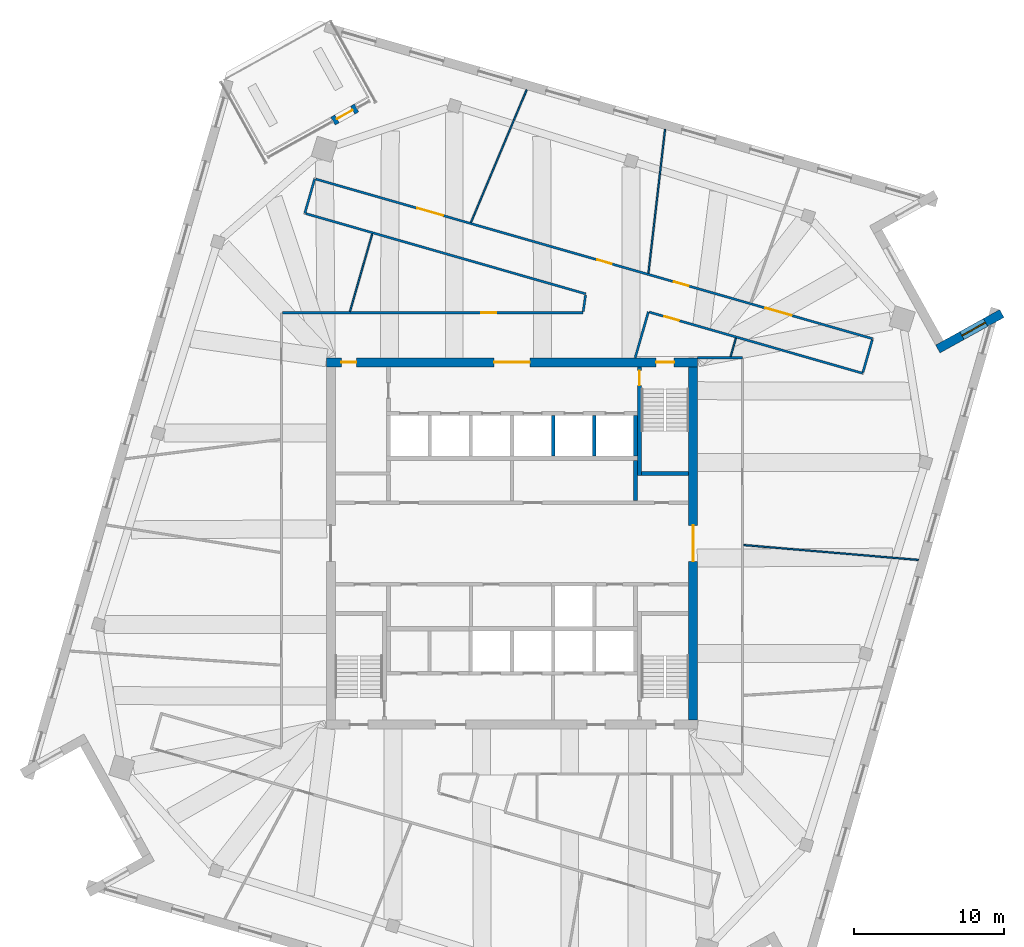
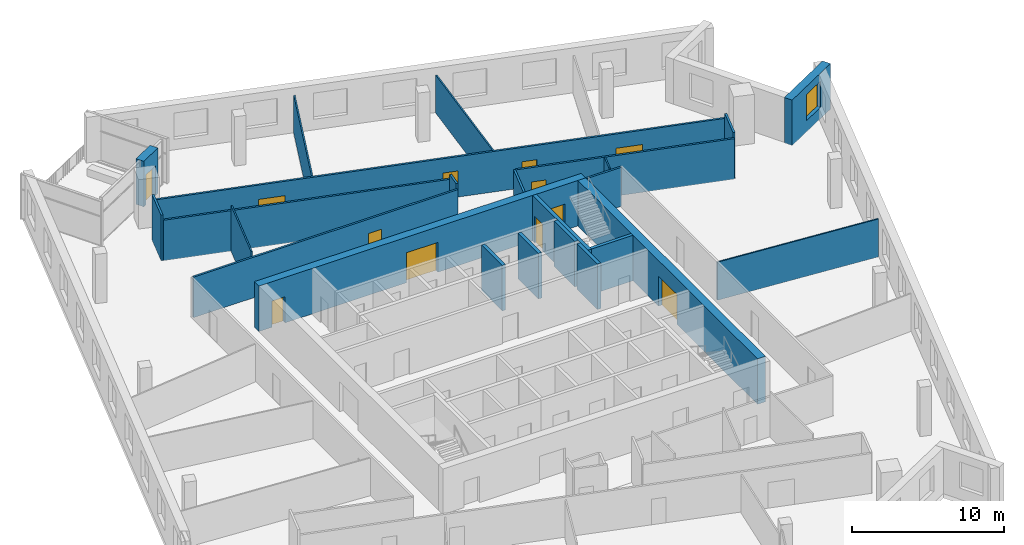
# One storey, part 11 of 15: 24 walls, 12 doors, 1 window, 13 openings.
"""IFC4 building model written with IfcOpenShell, lengths in metres."""

from ifc_helpers import new_model, si_unit, direction, frame, frame_2d, origin, place, context, subcontext, project, spatial, rectangle, extrude, material, layer, layer_set, type_object, element, fill, save


model = new_model("IFC4")

# Units and contexts
model_context = context("Model", 3, precision=1e-05, world=origin(), true_north=direction((0.0, 1.0)))
body_context = subcontext(model_context, "Body", "Model", "MODEL_VIEW")
ifc_project = project(units=[si_unit("LENGTHUNIT", "METRE"), si_unit("AREAUNIT", "SQUARE_METRE"), si_unit("VOLUMEUNIT", "CUBIC_METRE"), si_unit("PLANEANGLEUNIT", "RADIAN"), si_unit("MASSUNIT", "GRAM", prefix="KILO")], contexts=[model_context])

# Site, building, storey
site_placement = place(None, origin())
site = spatial("IfcSite", under=ifc_project, at=site_placement, CompositionType="ELEMENT")
building_placement = place(site_placement, origin())
building = spatial("IfcBuilding", under=site, at=building_placement, Name="Dilmun Exchange Tower", CompositionType="ELEMENT")
storey_placement = place(building_placement, frame((0.0, 0.0, 324.5)))
storey = spatial("IfcBuildingStorey", under=building, at=storey_placement, Name="L77", CompositionType="ELEMENT", Elevation=324.5)

# Wall
ifc_material_1 = material(Name="Concrete C40/50", Category="concrete")
ifc_layer_1 = layer(ifc_material_1, 0.25)
ifc_layer_set_1 = layer_set([ifc_layer_1], Name="Concrete C40/50")
wall_type_1 = type_object("IfcWallType", Name="Core partition wall 250", PredefinedType="PARTITIONING", material=ifc_layer_set_1)
wall_1_placement = place(storey_placement, frame((8.25, 2.85498046875, 0.0), z_axis=(0.0, 0.0, 1.0), x_axis=(0.0, 1.0, 0.0)))
element("IfcWall", 1, at=wall_1_placement, inside=storey, type_object=wall_type_1, Name="L77 core partition wall 14", PredefinedType="PARTITIONING", context=body_context, shape_type="SweptSolid", body=[
    extrude(rectangle(XDim=2.68994140625, YDim=0.25, at=frame_2d((1.344970703125, 0.0))), origin(), (0.0, 0.0, 1.0), 3.64990234375),
])

# Wall, openings, doors
ifc_material_2 = material(Name="Concrete C50/60", Category="concrete")
ifc_layer_2 = layer(ifc_material_2, 0.60009765625)
ifc_layer_set_2 = layer_set([ifc_layer_2], Name="Concrete C50/60")
wall_type_2 = type_object("IfcWallType", Name="Core shear wall 600 Concrete C50/60", PredefinedType="SHEAR", material=ifc_layer_set_2)
wall_2_placement = place(storey_placement, frame((-12.39990234375, 12.10009765625, 0.0), z_axis=(0.0, 0.0, 1.0), x_axis=(1.0, 0.0, 0.0)))
wall_2 = element("IfcWall", 2, at=wall_2_placement, inside=storey, type_object=wall_type_2, Name="L77 core shear wall N", PredefinedType="SHEAR", context=body_context, shape_type="SweptSolid", body=[
    extrude(rectangle(XDim=24.7998046875, YDim=0.60009765625, at=frame_2d((12.39990234375, 0.0))), origin(), (0.0, 0.0, 1.0), 3.64990234375),
])
opening_1_placement = place(wall_2_placement, frame((11.199951171875, 0.0, 0.0)))
opening_1 = element("IfcOpeningElement", 3, at=opening_1_placement, cuts=wall_2, Name="Opening CD1", PredefinedType="OPENING", context=body_context, shape_type="SweptSolid", body=[
    extrude(rectangle(XDim=2.39990234375, YDim=2.39990234375, at=frame_2d((1.199951171875, 1.199951171875))), frame((0.0, 0.31005859375, 0.0), z_axis=(0.0, -1.0, 0.0), x_axis=(1.0, 0.0, 0.0)), (0.0, 0.0, 1.0), 0.6201171875),
])
opening_2_placement = place(wall_2_placement, frame((22.02490234375, 0.0, 0.0)))
opening_2 = element("IfcOpeningElement", 4, at=opening_2_placement, cuts=wall_2, Name="Opening CD3", PredefinedType="OPENING", context=body_context, shape_type="SweptSolid", body=[
    extrude(rectangle(XDim=1.199951171875, YDim=2.10009765625, at=frame_2d((0.60009765625, 1.050048828125))), frame((0.0, 0.31005859375, 0.0), z_axis=(0.0, -1.0, 0.0), x_axis=(1.0, 0.0, 0.0)), (0.0, 0.0, 1.0), 0.6201171875),
])
opening_3_placement = place(wall_2_placement, frame((1.0, 0.0, 0.0)))
opening_3 = element("IfcOpeningElement", 5, at=opening_3_placement, cuts=wall_2, Name="Opening CD4", PredefinedType="OPENING", context=body_context, shape_type="SweptSolid", body=[
    extrude(rectangle(XDim=1.0, YDim=2.10009765625, at=frame_2d((0.5, 1.050048828125))), frame((0.0, 0.31005859375, 0.0), z_axis=(0.0, -1.0, 0.0), x_axis=(1.0, 0.0, 0.0)), (0.0, 0.0, 1.0), 0.6201171875),
])
ifc_material_3 = material(Name="Fire-rated steel door set", Category="steel")
door_type_1 = type_object("IfcDoorType", Name="Core lobby door 2400x2400", OperationType="DOUBLE_DOOR_DOUBLE_SWING", PredefinedType="DOOR", material=ifc_material_3)
door_1_placement = place(opening_1_placement, origin())
door_1 = element("IfcDoor", 6, at=door_1_placement, inside=storey, type_object=door_type_1, Name="L77 door North lift lobby", OperationType="SINGLE_SWING_LEFT", OverallHeight=2.39990234375, OverallWidth=2.39990234375, PredefinedType="DOOR", context=body_context, shape_type="SweptSolid", body=[
    extrude(rectangle(XDim=2.39990234375, YDim=2.39990234375, at=frame_2d((1.199951171875, 1.199951171875))), frame((0.0, 0.02490234375, 0.0), z_axis=(0.0, -1.0, 0.0), x_axis=(1.0, 0.0, 0.0)), (0.0, 0.0, 1.0), 0.050048828125),
])
fill(opening_1, door_1)
door_type_2 = type_object("IfcDoorType", Name="Core room door 1000x2100", OperationType="SINGLE_SWING_LEFT", PredefinedType="DOOR", material=ifc_material_3)
door_2_placement = place(opening_3_placement, origin())
door_2 = element("IfcDoor", 7, at=door_2_placement, inside=storey, type_object=door_type_2, Name="L77 door North-west core rooms", OperationType="SINGLE_SWING_LEFT", OverallHeight=2.10009765625, OverallWidth=1.0, PredefinedType="DOOR", context=body_context, shape_type="SweptSolid", body=[
    extrude(rectangle(XDim=1.0, YDim=2.10009765625, at=frame_2d((0.5, 1.050048828125))), frame((0.0, 0.02490234375, 0.0), z_axis=(0.0, -1.0, 0.0), x_axis=(1.0, 0.0, 0.0)), (0.0, 0.0, 1.0), 0.050048828125),
])
fill(opening_3, door_2)
door_type_3 = type_object("IfcDoorType", Name="Stair exit door 1200x2100", OperationType="SINGLE_SWING_LEFT", PredefinedType="DOOR", material=ifc_material_3)
door_3_placement = place(opening_2_placement, origin())
door_3 = element("IfcDoor", 8, at=door_3_placement, inside=storey, type_object=door_type_3, Name="L77 door Stair ST1", OperationType="SINGLE_SWING_LEFT", OverallHeight=2.10009765625, OverallWidth=1.199951171875, PredefinedType="DOOR", context=body_context, shape_type="SweptSolid", body=[
    extrude(rectangle(XDim=1.199951171875, YDim=2.10009765625, at=frame_2d((0.60009765625, 1.050048828125))), frame((0.0, 0.02490234375, 0.0), z_axis=(0.0, -1.0, 0.0), x_axis=(1.0, 0.0, 0.0)), (0.0, 0.0, 1.0), 0.050048828125),
])
fill(opening_2, door_3)

# Wall, opening, door
wall_3_placement = place(storey_placement, frame((12.10009765625, -11.800048828125, 0.0), z_axis=(0.0, 0.0, 1.0), x_axis=(0.0, 1.0, 0.0)))
wall_3 = element("IfcWall", 9, at=wall_3_placement, inside=storey, type_object=wall_type_2, Name="L77 core shear wall E", PredefinedType="SHEAR", context=body_context, shape_type="SweptSolid", body=[
    extrude(rectangle(XDim=23.60009765625, YDim=0.60009765625, at=frame_2d((11.800048828125, 0.0))), origin(), (0.0, 0.0, 1.0), 3.64990234375),
])
opening_4_placement = place(wall_3_placement, frame((10.60009765625, 0.0, 0.0)))
opening_4 = element("IfcOpeningElement", 10, at=opening_4_placement, cuts=wall_3, Name="Opening CD1", PredefinedType="OPENING", context=body_context, shape_type="SweptSolid", body=[
    extrude(rectangle(XDim=2.39990234375, YDim=2.39990234375, at=frame_2d((1.199951171875, 1.199951171875))), frame((0.0, 0.31005859375, 0.0), z_axis=(0.0, -1.0, 0.0), x_axis=(1.0, 0.0, 0.0)), (0.0, 0.0, 1.0), 0.6201171875),
])
door_4_placement = place(opening_4_placement, origin())
door_4 = element("IfcDoor", 11, at=door_4_placement, inside=storey, type_object=door_type_1, Name="L77 door Central lift lobby", OperationType="SINGLE_SWING_LEFT", OverallHeight=2.39990234375, OverallWidth=2.39990234375, PredefinedType="DOOR", context=body_context, shape_type="SweptSolid", body=[
    extrude(rectangle(XDim=2.39990234375, YDim=2.39990234375, at=frame_2d((1.199951171875, 1.199951171875))), frame((0.0, 0.02490234375, 0.0), z_axis=(0.0, -1.0, 0.0), x_axis=(1.0, 0.0, 0.0)), (0.0, 0.0, 1.0), 0.050048828125),
])
fill(opening_4, door_4)

ifc_material_4 = material(Name="Corridor wall 150")
ifc_layer_3 = layer(ifc_material_4, 0.14990234375)
ifc_layer_set_3 = layer_set([ifc_layer_3], Name="Corridor wall 150")
wall_type_3 = type_object("IfcWallType", Name="Corridor wall 150", PredefinedType="PARTITIONING", material=ifc_layer_set_3)
wall_4_placement = place(storey_placement, frame((-15.324951171875, 15.39990234375, 0.0), z_axis=(0.0, 0.0, 1.0), x_axis=(1.0, 0.0, 0.0)))
wall_4 = element("IfcWall", 12, at=wall_4_placement, inside=storey, type_object=wall_type_3, Name="Corridor wall", PredefinedType="PARTITIONING", context=body_context, shape_type="SweptSolid", body=[
    extrude(rectangle(XDim=20.06884765625, YDim=0.14990234375, at=frame_2d((10.034423828125, 0.0))), origin(), (0.0, 0.0, 1.0), 3.25),
])
opening_5_placement = place(wall_4_placement, frame((13.279296875, 0.0, 0.0)))
opening_5 = element("IfcOpeningElement", 13, at=opening_5_placement, cuts=wall_4, Name="Opening TF77-D08", PredefinedType="OPENING", context=body_context, shape_type="SweptSolid", body=[
    extrude(rectangle(XDim=1.0, YDim=2.10009765625, at=frame_2d((0.5, 1.050048828125))), frame((0.0, 0.0849609375, 0.0), z_axis=(0.0, -1.0, 0.0), x_axis=(1.0, 0.0, 0.0)), (0.0, 0.0, 1.0), 0.169921875),
])
ifc_material_5 = material(Name="Fire door 1000 x 2100")
door_type_4 = type_object("IfcDoorType", Name="Fire door 1000 x 2100", OperationType="NOTDEFINED", PredefinedType="DOOR", material=ifc_material_5)
door_5_placement = place(opening_5_placement, origin())
door_5 = element("IfcDoor", 14, at=door_5_placement, inside=storey, type_object=door_type_4, Name="Door TF77-D08", OperationType="SINGLE_SWING_LEFT", OverallHeight=2.10009765625, OverallWidth=1.0, PredefinedType="DOOR", context=body_context, shape_type="SweptSolid", body=[
    extrude(rectangle(XDim=1.0, YDim=2.10009765625, at=frame_2d((0.5, 1.050048828125))), frame((0.0, 0.02490234375, 0.0), z_axis=(0.0, -1.0, 0.0), x_axis=(1.0, 0.0, 0.0)), (0.0, 0.0, 1.0), 0.050048828125),
])
fill(opening_5, door_5)

# Walls
wall_5_placement = place(storey_placement, frame((-13.8359375, 22.048095703125, 0.0), z_axis=(0.0, 0.0, 1.0), x_axis=(0.275406353885, 0.96132790464, 0.0)))
element("IfcWall", 15, at=wall_5_placement, inside=storey, type_object=wall_type_3, Name="Corridor wall", PredefinedType="PARTITIONING", context=body_context, shape_type="SweptSolid", body=[
    extrude(rectangle(XDim=2.399658203125, YDim=0.14990234375, at=frame_2d((1.19970703125, 0.0))), origin(), (0.0, 0.0, 1.0), 3.64990234375),
])
wall_6_placement = place(storey_placement, frame((-13.763916015625, 22.02734375, 0.0), z_axis=(0.0, 0.0, 1.0), x_axis=(0.961261913281, -0.275636597851, 0.0)))
element("IfcWall", 16, at=wall_6_placement, inside=storey, type_object=wall_type_3, Name="Corridor wall", PredefinedType="PARTITIONING", context=body_context, shape_type="SweptSolid", body=[
    extrude(rectangle(XDim=19.440185546875, YDim=0.14990234375, at=frame_2d((9.72021484375, 0.0))), origin(), (0.0, 0.0, 1.0), 3.25),
])

# Wall, openings, doors
wall_7_placement = place(storey_placement, frame((-13.102783203125, 24.334228515625, 0.0), z_axis=(0.0, 0.0, 1.0), x_axis=(0.961265813226, -0.275622996723, 0.0)))
wall_7 = element("IfcWall", 17, at=wall_7_placement, inside=storey, type_object=wall_type_3, Name="Corridor wall", PredefinedType="PARTITIONING", context=body_context, shape_type="SweptSolid", body=[
    extrude(rectangle(XDim=38.68017578125, YDim=0.14990234375, at=frame_2d((19.340087890625, 0.0))), origin(), (0.0, 0.0, 1.0), 3.25),
])
opening_6_placement = place(wall_7_placement, frame((7.050048828125, 0.0, 0.0)))
opening_6 = element("IfcOpeningElement", 18, at=opening_6_placement, cuts=wall_7, Name="Opening TF77-D05", PredefinedType="OPENING", context=body_context, shape_type="SweptSolid", body=[
    extrude(rectangle(XDim=1.800048828125, YDim=2.10009765625, at=frame_2d((0.89990234375, 1.050048828125))), frame((0.0, 0.0849609375, 0.0), z_axis=(0.0, -1.0, 0.0), x_axis=(1.0, 0.0, 0.0)), (0.0, 0.0, 1.0), 0.169921875),
])
opening_7_placement = place(wall_7_placement, frame((19.54736328125, 0.0, 0.0)))
opening_7 = element("IfcOpeningElement", 19, at=opening_7_placement, cuts=wall_7, Name="Opening TF77-D12", PredefinedType="OPENING", context=body_context, shape_type="SweptSolid", body=[
    extrude(rectangle(XDim=1.0, YDim=2.10009765625, at=frame_2d((0.5, 1.050048828125))), frame((0.0, 0.0849609375, 0.0), z_axis=(0.0, -1.0, 0.0), x_axis=(1.0, 0.0, 0.0)), (0.0, 0.0, 1.0), 0.169921875),
])
opening_8_placement = place(wall_7_placement, frame((24.892578125, 0.0, 0.0)))
opening_8 = element("IfcOpeningElement", 20, at=opening_8_placement, cuts=wall_7, Name="Opening TF77-D15", PredefinedType="OPENING", context=body_context, shape_type="SweptSolid", body=[
    extrude(rectangle(XDim=1.0, YDim=2.10009765625, at=frame_2d((0.5, 1.050048828125))), frame((0.0, 0.0849609375, 0.0), z_axis=(0.0, -1.0, 0.0), x_axis=(1.0, 0.0, 0.0)), (0.0, 0.0, 1.0), 0.169921875),
])
opening_9_placement = place(wall_7_placement, frame((31.242919921875, 0.0, 0.0)))
opening_9 = element("IfcOpeningElement", 21, at=opening_9_placement, cuts=wall_7, Name="Opening TF77-D19", PredefinedType="OPENING", context=body_context, shape_type="SweptSolid", body=[
    extrude(rectangle(XDim=1.800048828125, YDim=2.10009765625, at=frame_2d((0.89990234375, 1.050048828125))), frame((0.0, 0.0849609375, 0.0), z_axis=(0.0, -1.0, 0.0), x_axis=(1.0, 0.0, 0.0)), (0.0, 0.0, 1.0), 0.169921875),
])
door_6_placement = place(opening_7_placement, origin())
door_6 = element("IfcDoor", 22, at=door_6_placement, inside=storey, type_object=door_type_4, Name="Door TF77-D12", OperationType="SINGLE_SWING_RIGHT", OverallHeight=2.10009765625, OverallWidth=1.0, PredefinedType="DOOR", context=body_context, shape_type="SweptSolid", body=[
    extrude(rectangle(XDim=1.0, YDim=2.10009765625, at=frame_2d((0.5, 1.050048828125))), frame((0.0, 0.02490234375, 0.0), z_axis=(0.0, -1.0, 0.0), x_axis=(1.0, 0.0, 0.0)), (0.0, 0.0, 1.0), 0.050048828125),
])
fill(opening_7, door_6)
door_7_placement = place(opening_8_placement, origin())
door_7 = element("IfcDoor", 23, at=door_7_placement, inside=storey, type_object=door_type_4, Name="Door TF77-D15", OperationType="SINGLE_SWING_LEFT", OverallHeight=2.10009765625, OverallWidth=1.0, PredefinedType="DOOR", context=body_context, shape_type="SweptSolid", body=[
    extrude(rectangle(XDim=1.0, YDim=2.10009765625, at=frame_2d((0.5, 1.050048828125))), frame((0.0, 0.02490234375, 0.0), z_axis=(0.0, -1.0, 0.0), x_axis=(1.0, 0.0, 0.0)), (0.0, 0.0, 1.0), 0.050048828125),
])
fill(opening_8, door_7)
ifc_material_6 = material(Name="Fire door pair 1800 x 2100")
door_type_5 = type_object("IfcDoorType", Name="Fire door pair 1800 x 2100", OperationType="NOTDEFINED", PredefinedType="DOOR", material=ifc_material_6)
door_8_placement = place(opening_6_placement, origin())
door_8 = element("IfcDoor", 24, at=door_8_placement, inside=storey, type_object=door_type_5, Name="Door TF77-D05", OperationType="DOUBLE_DOOR_SINGLE_SWING", OverallHeight=2.10009765625, OverallWidth=1.800048828125, PredefinedType="DOOR", context=body_context, shape_type="SweptSolid", body=[
    extrude(rectangle(XDim=1.800048828125, YDim=2.10009765625, at=frame_2d((0.89990234375, 1.050048828125))), frame((0.0, 0.02490234375, 0.0), z_axis=(0.0, -1.0, 0.0), x_axis=(1.0, 0.0, 0.0)), (0.0, 0.0, 1.0), 0.050048828125),
])
fill(opening_6, door_8)
door_9_placement = place(opening_9_placement, origin())
door_9 = element("IfcDoor", 25, at=door_9_placement, inside=storey, type_object=door_type_5, Name="Door TF77-D19", OperationType="DOUBLE_DOOR_SINGLE_SWING", OverallHeight=2.10009765625, OverallWidth=1.800048828125, PredefinedType="DOOR", context=body_context, shape_type="SweptSolid", body=[
    extrude(rectangle(XDim=1.800048828125, YDim=2.10009765625, at=frame_2d((0.89990234375, 1.050048828125))), frame((0.0, 0.02490234375, 0.0), z_axis=(0.0, -1.0, 0.0), x_axis=(1.0, 0.0, 0.0)), (0.0, 0.0, 1.0), 0.050048828125),
])
fill(opening_9, door_9)

# Walls
wall_8_placement = place(storey_placement, frame((4.756103515625, 15.485595703125, 0.0), z_axis=(0.0, 0.0, 1.0), x_axis=(0.139602323869, 0.990207650531, 0.0)))
element("IfcWall", 26, at=wall_8_placement, inside=storey, type_object=wall_type_3, Name="Corridor wall", PredefinedType="PARTITIONING", context=body_context, shape_type="SweptSolid", body=[
    extrude(rectangle(XDim=1.108642578125, YDim=0.14990234375, at=frame_2d((0.55419921875, 0.0))), origin(), (0.0, 0.0, 1.0), 3.64990234375),
])
wall_9_placement = place(storey_placement, frame((8.22705078125, 12.39990234375, 0.0), z_axis=(0.0, 0.0, 1.0), x_axis=(0.275589573409, 0.961275396038, 0.0)))
element("IfcWall", 27, at=wall_9_placement, inside=storey, type_object=wall_type_3, Name="Corridor wall", PredefinedType="PARTITIONING", context=body_context, shape_type="SweptSolid", body=[
    extrude(rectangle(XDim=3.192626953125, YDim=0.14990234375, at=frame_2d((1.59619140625, 0.0))), origin(), (0.0, 0.0, 1.0), 3.25),
])

# Wall, opening, door
wall_10_placement = place(storey_placement, frame((9.17919921875, 15.4482421875, 0.0), z_axis=(0.0, 0.0, 1.0), x_axis=(0.961267886057, -0.275615767392, 0.0)))
wall_10 = element("IfcWall", 28, at=wall_10_placement, inside=storey, type_object=wall_type_3, Name="Corridor wall", PredefinedType="PARTITIONING", context=body_context, shape_type="SweptSolid", body=[
    extrude(rectangle(XDim=14.8115234375, YDim=0.14990234375, at=frame_2d((7.40576171875, 0.0))), origin(), (0.0, 0.0, 1.0), 3.25),
])
opening_10_placement = place(wall_10_placement, frame((1.050048828125, 0.0, 0.0)))
opening_10 = element("IfcOpeningElement", 29, at=opening_10_placement, cuts=wall_10, Name="Opening TF77-D14", PredefinedType="OPENING", context=body_context, shape_type="SweptSolid", body=[
    extrude(rectangle(XDim=1.0, YDim=2.10009765625, at=frame_2d((0.5, 1.050048828125))), frame((0.0, 0.0849609375, 0.0), z_axis=(0.0, -1.0, 0.0), x_axis=(1.0, 0.0, 0.0)), (0.0, 0.0, 1.0), 0.169921875),
])
door_10_placement = place(opening_10_placement, frame((1.0, 0.0, 0.0), z_axis=(0.0, 0.0, 1.0), x_axis=(-1.0, 0.0, 0.0)))
door_10 = element("IfcDoor", 30, at=door_10_placement, inside=storey, type_object=door_type_4, Name="Door TF77-D14", OperationType="SINGLE_SWING_RIGHT", OverallHeight=2.10009765625, OverallWidth=1.0, PredefinedType="DOOR", context=body_context, shape_type="SweptSolid", body=[
    extrude(rectangle(XDim=1.0, YDim=2.10009765625, at=frame_2d((0.5, 1.050048828125))), frame((0.0, 0.02490234375, 0.0), z_axis=(0.0, -1.0, 0.0), x_axis=(1.0, 0.0, 0.0)), (0.0, 0.0, 1.0), 0.050048828125),
])
fill(opening_10, door_10)

# Walls
wall_11_placement = place(storey_placement, frame((12.39990234375, 12.39990234375, 0.0), z_axis=(0.0, 0.0, 1.0), x_axis=(1.0, 0.0, 0.0)))
element("IfcWall", 31, at=wall_11_placement, inside=storey, type_object=wall_type_3, Name="Corridor wall", PredefinedType="PARTITIONING", context=body_context, shape_type="SweptSolid", body=[
    extrude(rectangle(XDim=3.0, YDim=0.14990234375, at=frame_2d((1.5, 0.0))), origin(), (0.0, 0.0, 1.0), 3.1298828125),
])
wall_12_placement = place(storey_placement, frame((23.437744140625, 11.43798828125, 0.0), z_axis=(0.0, 0.0, 1.0), x_axis=(0.275810058081, 0.96121215757, 0.0)))
element("IfcWall", 32, at=wall_12_placement, inside=storey, type_object=wall_type_3, Name="Corridor wall", PredefinedType="PARTITIONING", context=body_context, shape_type="SweptSolid", body=[
    extrude(rectangle(XDim=2.25, YDim=0.14990234375, at=frame_2d((1.125, 0.0))), origin(), (0.0, 0.0, 1.0), 3.64990234375),
])
ifc_layer_4 = layer(ifc_material_1, 0.25)
ifc_layer_set_4 = layer_set([ifc_layer_4], Name="Concrete C40/50")
wall_type_4 = type_object("IfcWallType", Name="Lift shaft wall 250", PredefinedType="SOLIDWALL", material=ifc_layer_set_4)
for number, where, z_axis, x_axis, name in (
    (33, (2.75, 5.85009765625, 0.0), (0.0, 0.0, 1.0), (0.0, 1.0, 0.0), "L77 lift shaft divider N24"),
    (34, (5.5, 5.85009765625, 0.0), (0.0, 0.0, 1.0), (0.0, 1.0, 0.0), "L77 lift shaft divider N25"),
    (35, (8.25, 5.85009765625, 0.0), (0.0, 0.0, 1.0), (0.0, 1.0, 0.0), "L77 lift shaft divider N26"),
):
    element("IfcWall", number, at=place(storey_placement, frame(where, z_axis=z_axis, x_axis=x_axis)), inside=storey, type_object=wall_type_4, Name=name, PredefinedType="SOLIDWALL", context=body_context, shape_type="SweptSolid", body=[
        extrude(rectangle(XDim=2.699951171875, YDim=0.25, at=frame_2d((1.35009765625, 0.0))), origin(), (0.0, 0.0, 1.0), 3.64990234375),
    ])
ifc_material_7 = material(Name="Partition 100")
ifc_layer_5 = layer(ifc_material_7, 0.10009765625)
ifc_layer_set_5 = layer_set([ifc_layer_5], Name="Partition 100")
wall_type_5 = type_object("IfcWallType", Name="Partition 100", PredefinedType="PARTITIONING", material=ifc_layer_set_5)
wall_13_placement = place(storey_placement, frame((-10.820556640625, 15.48876953125, 0.0), z_axis=(0.0, 0.0, 1.0), x_axis=(0.275724251057, 0.961236774879, 0.0)))
element("IfcWall", 36, at=wall_13_placement, inside=storey, type_object=wall_type_5, Name="Partition", PredefinedType="PARTITIONING", context=body_context, shape_type="SweptSolid", body=[
    extrude(rectangle(XDim=5.3994140625, YDim=0.10009765625, at=frame_2d((2.69970703125, 0.0))), origin(), (0.0, 0.0, 1.0), 3.64990234375),
])
wall_14_placement = place(storey_placement, frame((-2.740478515625, 21.447021484375, 0.0), z_axis=(0.0, 0.0, 1.0), x_axis=(0.387658102022, 0.921803230596, 0.0)))
element("IfcWall", 37, at=wall_14_placement, inside=storey, type_object=wall_type_5, Name="Partition", PredefinedType="PARTITIONING", context=body_context, shape_type="SweptSolid", body=[
    extrude(rectangle(XDim=9.604736328125, YDim=0.10009765625, at=frame_2d((4.80224609375, 0.0))), origin(), (0.0, 0.0, 1.0), 3.050048828125),
])
wall_15_placement = place(storey_placement, frame((9.110595703125, 18.0517578125, 0.0), z_axis=(0.0, 0.0, 1.0), x_axis=(0.114972177947, 0.99336871216, 0.0)))
element("IfcWall", 38, at=wall_15_placement, inside=storey, type_object=wall_type_5, Name="Partition", PredefinedType="PARTITIONING", context=body_context, shape_type="SweptSolid", body=[
    extrude(rectangle(XDim=9.663818359375, YDim=0.10009765625, at=frame_2d((4.83203125, 0.0))), origin(), (0.0, 0.0, 1.0), 3.050048828125),
])
wall_16_placement = place(storey_placement, frame((14.6044921875, 12.48876953125, 0.0), z_axis=(0.0, 0.0, 1.0), x_axis=(0.275303052491, 0.96135749297, 0.0)))
element("IfcWall", 39, at=wall_16_placement, inside=storey, type_object=wall_type_5, Name="Partition", PredefinedType="PARTITIONING", context=body_context, shape_type="SweptSolid", body=[
    extrude(rectangle(XDim=1.2744140625, YDim=0.10009765625, at=frame_2d((0.63720703125, 0.0))), origin(), (0.0, 0.0, 1.0), 3.25),
])
wall_17_placement = place(storey_placement, frame((15.479248046875, -0.106689453125, 0.0), z_axis=(0.0, 0.0, 1.0), x_axis=(0.996382096483, -0.084986574283, 0.0)))
element("IfcWall", 40, at=wall_17_placement, inside=storey, type_object=wall_type_5, Name="Partition", PredefinedType="PARTITIONING", context=body_context, shape_type="SweptSolid", body=[
    extrude(rectangle(XDim=11.709228515625, YDim=0.10009765625, at=frame_2d((5.8544921875, 0.0))), origin(), (0.0, 0.0, 1.0), 3.050048828125),
])

# Wall, opening, window
ifc_material_8 = material(Name="Precast concrete C50/60", Category="concrete")
ifc_layer_6 = layer(ifc_material_8, 0.60009765625)
ifc_layer_set_6 = layer_set([ifc_layer_6], Name="Precast concrete C50/60")
wall_type_6 = type_object("IfcWallType", Name="Precast stone-clad wall 600", PredefinedType="STANDARD", material=ifc_layer_set_6)
wall_18_placement = place(storey_placement, frame((32.7119140625, 15.355712890625, 0.0), z_axis=(0.0, 0.0, 1.0), x_axis=(-0.874609472896, -0.48482808285, 0.0)))
wall_18 = element("IfcWall", 41, at=wall_18_placement, inside=storey, type_object=wall_type_6, Name="Facade wall L77-12", PredefinedType="STANDARD", context=body_context, shape_type="SweptSolid", body=[
    extrude(rectangle(XDim=4.885498046875, YDim=0.60009765625, at=frame_2d((2.44287109375, 0.0))), origin(), (0.0, 0.0, 1.0), 3.64990234375),
])
opening_11_placement = place(wall_18_placement, frame((1.242919921875, 0.0, 0.89990234375)))
opening_11 = element("IfcOpeningElement", 42, at=opening_11_placement, cuts=wall_18, Name="Opening W180-210", PredefinedType="OPENING", context=body_context, shape_type="SweptSolid", body=[
    extrude(rectangle(XDim=1.800048828125, YDim=2.10009765625, at=frame_2d((0.89990234375, 1.050048828125))), frame((0.0, 0.31005859375, 0.0), z_axis=(0.0, -1.0, 0.0), x_axis=(1.0, 0.0, 0.0)), (0.0, 0.0, 1.0), 0.6201171875),
])
ifc_material_9 = material(Name="Clear low-emissivity glass in aluminium frame", Category="aluminium")
window_type = type_object("IfcWindowType", Name="Punched window 1800 x 2100", PartitioningType="DOUBLE_PANEL_VERTICAL", PredefinedType="WINDOW", material=ifc_material_9)
window_placement = place(opening_11_placement, origin())
window = element("IfcWindow", 43, at=window_placement, inside=storey, type_object=window_type, Name="Window 13.1", OverallHeight=2.10009765625, OverallWidth=1.800048828125, PartitioningType="SINGLE_PANEL", PredefinedType="WINDOW", context=body_context, shape_type="SweptSolid", body=[
    extrude(rectangle(XDim=1.800048828125, YDim=2.10009765625, at=frame_2d((0.89990234375, 1.050048828125))), frame((0.0, 0.030029296875, 0.0), z_axis=(0.0, -1.0, 0.0), x_axis=(1.0, 0.0, 0.0)), (0.0, 0.0, 1.0), 0.06005859375),
])
fill(opening_11, window)

# Wall, opening, door
wall_19_placement = place(storey_placement, frame((-10.380126953125, 29.083740234375, 0.0), z_axis=(0.0, 0.0, 1.0), x_axis=(-0.874604701954, -0.484836689329, 0.0)))
wall_19 = element("IfcWall", 44, at=wall_19_placement, inside=storey, type_object=wall_type_6, Name="Facade wall L77-01-D", PredefinedType="STANDARD", context=body_context, shape_type="SweptSolid", body=[
    extrude(rectangle(XDim=1.80029296875, YDim=0.60009765625, at=frame_2d((0.900146484375, 0.0))), origin(), (0.0, 0.0, 1.0), 3.64990234375),
])
opening_12_placement = place(wall_19_placement, frame((0.300048828125, 0.0, 0.0)))
opening_12 = element("IfcOpeningElement", 45, at=opening_12_placement, cuts=wall_19, Name="Opening GD-1", PredefinedType="OPENING", context=body_context, shape_type="SweptSolid", body=[
    extrude(rectangle(XDim=1.199951171875, YDim=2.39990234375, at=frame_2d((0.60009765625, 1.199951171875))), frame((0.0, 0.31005859375, 0.0), z_axis=(0.0, -1.0, 0.0), x_axis=(1.0, 0.0, 0.0)), (0.0, 0.0, 1.0), 0.6201171875),
])
door_type_6 = type_object("IfcDoorType", Name="Glazed garden door 1200 x 2400", OperationType="SINGLE_SWING_LEFT", PredefinedType="DOOR", material=ifc_material_9)
door_11_placement = place(opening_12_placement, origin())
door_11 = element("IfcDoor", 46, at=door_11_placement, inside=storey, type_object=door_type_6, Name="Garden terrace door", OperationType="SINGLE_SWING_LEFT", OverallHeight=2.39990234375, OverallWidth=1.199951171875, PredefinedType="DOOR", context=body_context, shape_type="SweptSolid", body=[
    extrude(rectangle(XDim=1.199951171875, YDim=2.39990234375, at=frame_2d((0.60009765625, 1.199951171875))), frame((0.0, 0.02490234375, 0.0), z_axis=(0.0, -1.0, 0.0), x_axis=(1.0, 0.0, 0.0)), (0.0, 0.0, 1.0), 0.050048828125),
])
fill(opening_12, door_11)

# Wall
ifc_layer_7 = layer(ifc_material_1, 0.25)
ifc_layer_set_7 = layer_set([ifc_layer_7], Name="Concrete C40/50")
wall_type_7 = type_object("IfcWallType", Name="Stair end wall 250", PredefinedType="SOLIDWALL", material=ifc_layer_set_7)
wall_20_placement = place(storey_placement, frame((8.64990234375, 4.675048828125, 0.0), z_axis=(0.0, 0.0, 1.0), x_axis=(1.0, 0.0, 0.0)))
element("IfcWall", 47, at=wall_20_placement, inside=storey, type_object=wall_type_7, Name="L77 ST1 far wall", PredefinedType="SOLIDWALL", context=body_context, shape_type="SweptSolid", body=[
    extrude(rectangle(XDim=3.150146484375, YDim=0.25, at=frame_2d((1.5751953125, 0.0))), origin(), (0.0, 0.0, 1.0), 3.64990234375),
])

# Wall, opening, door
ifc_layer_8 = layer(ifc_material_1, 0.27490234375)
ifc_layer_set_8 = layer_set([ifc_layer_8], Name="Concrete C40/50")
wall_type_8 = type_object("IfcWallType", Name="Stair wall 275", PredefinedType="SOLIDWALL", material=ifc_layer_set_8)
wall_21_placement = place(storey_placement, frame((8.512451171875, 4.550048828125, 0.0), z_axis=(0.0, 0.0, 1.0), x_axis=(0.0, 1.0, 0.0)))
wall_21 = element("IfcWall", 48, at=wall_21_placement, inside=storey, type_object=wall_type_8, Name="L77 ST1 wall to lift block", PredefinedType="SOLIDWALL", context=body_context, shape_type="SweptSolid", body=[
    extrude(rectangle(XDim=7.25, YDim=0.27490234375, at=frame_2d((3.625, 0.0))), origin(), (0.0, 0.0, 1.0), 3.64990234375),
])
opening_13_placement = place(wall_21_placement, frame((6.0, 0.0, 0.0)))
opening_13 = element("IfcOpeningElement", 49, at=opening_13_placement, cuts=wall_21, Name="Opening CD4", PredefinedType="OPENING", context=body_context, shape_type="SweptSolid", body=[
    extrude(rectangle(XDim=1.0, YDim=2.10009765625, at=frame_2d((0.5, 1.050048828125))), frame((0.0, 0.1474609375, 0.0), z_axis=(0.0, -1.0, 0.0), x_axis=(1.0, 0.0, 0.0)), (0.0, 0.0, 1.0), 0.294921875),
])
door_12_placement = place(opening_13_placement, origin())
door_12 = element("IfcDoor", 50, at=door_12_placement, inside=storey, type_object=door_type_2, Name="L77 door ST1 from lobby", OperationType="SINGLE_SWING_LEFT", OverallHeight=2.10009765625, OverallWidth=1.0, PredefinedType="DOOR", context=body_context, shape_type="SweptSolid", body=[
    extrude(rectangle(XDim=1.0, YDim=2.10009765625, at=frame_2d((0.5, 1.050048828125))), frame((0.0, 0.02490234375, 0.0), z_axis=(0.0, -1.0, 0.0), x_axis=(1.0, 0.0, 0.0)), (0.0, 0.0, 1.0), 0.050048828125),
])
fill(opening_13, door_12)

save(model, "model.ifc")
